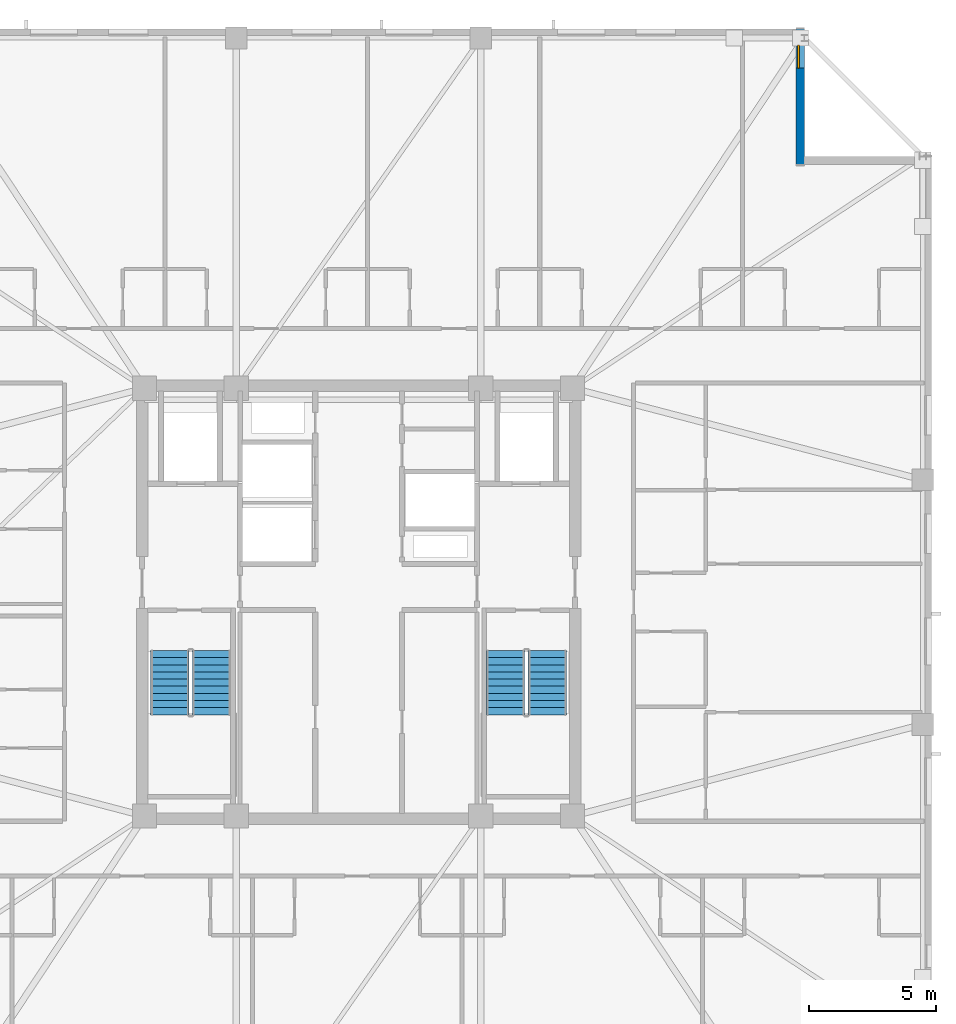
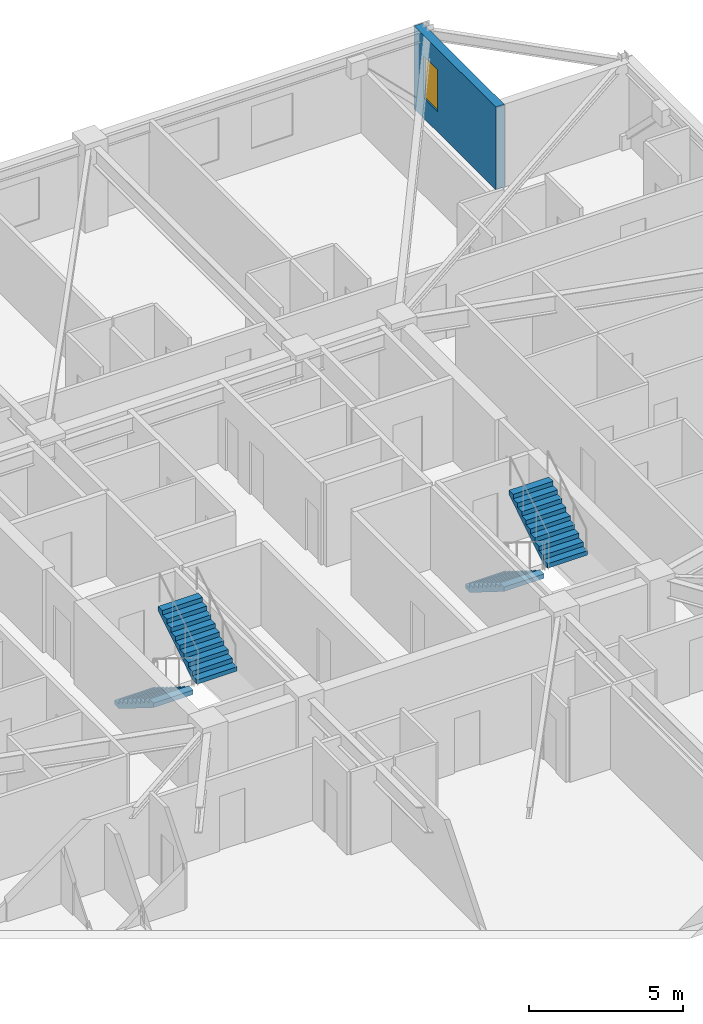
# One storey, part 12 of 17: 4 stair flights, 1 wall, 1 window, 1 opening, 2 elements without a shape of their own.
"""IFC4 building model written with IfcOpenShell, lengths in metres."""

from ifc_helpers import new_model, si_unit, direction, frame, frame_2d, origin, place, context, subcontext, project, spatial, polyline, rectangle, outline, extrude, material, layer, layer_set, type_object, element, fill, aggregate, save


model = new_model("IFC4")

# Units and contexts
model_context = context("Model", 3, precision=1e-05, world=origin(), true_north=direction((0.0, 1.0)))
body_context = subcontext(model_context, "Body", "Model", "MODEL_VIEW")
ifc_project = project(units=[si_unit("LENGTHUNIT", "METRE"), si_unit("AREAUNIT", "SQUARE_METRE"), si_unit("VOLUMEUNIT", "CUBIC_METRE"), si_unit("PLANEANGLEUNIT", "RADIAN"), si_unit("MASSUNIT", "GRAM", prefix="KILO")], contexts=[model_context])

# Site, building, storey
site_placement = place(None, origin())
site = spatial("IfcSite", under=ifc_project, at=site_placement, CompositionType="ELEMENT")
building_placement = place(site_placement, origin())
building = spatial("IfcBuilding", under=site, at=building_placement, Name="Cairnveth Concourse Tower", CompositionType="ELEMENT")
storey_placement = place(building_placement, frame((0.0, 0.0, 244.5)))
storey = spatial("IfcBuildingStorey", under=building, at=storey_placement, Name="L67", CompositionType="ELEMENT", Elevation=244.5)

# Wall, opening, window
ifc_material_1 = material(Name="Melbourne Buff Fired Clay Brick Masonry", Category="masonry")
ifc_layer = layer(ifc_material_1, 0.320068359375)
ifc_layer_set = layer_set([ifc_layer], Name="Melbourne Buff Fired Clay Brick Masonry")
wall_type = type_object("IfcWallType", Name="ZONE 3 BRICK PIER SPANDREL WALL 320", PredefinedType="SOLIDWALL", material=ifc_layer_set)
wall_placement = place(storey_placement, frame((69.340087890625, 61.5, 0.0), z_axis=(0.0, 0.0, 1.0), x_axis=(0.0, -1.0, 0.0)))
wall = element("IfcWall", 1, at=wall_placement, inside=storey, type_object=wall_type, Name="Exterior Wall EW-L67-S04", PredefinedType="SOLIDWALL", context=body_context, shape_type="SweptSolid", body=[
    extrude(rectangle(XDim=5.320068359375, YDim=0.320068359375, at=frame_2d((2.66015625, 0.0))), origin(), (0.0, 0.0, 1.0), 3.2900390625),
])
opening_placement = place(wall_placement, frame((0.6298828125, 0.0, 0.800048828125)))
opening = element("IfcOpeningElement", 2, at=opening_placement, cuts=wall, Name="Opening W13", PredefinedType="OPENING", context=body_context, shape_type="SweptSolid", body=[
    extrude(rectangle(XDim=0.89990234375, YDim=1.677978515625, at=frame_2d((0.449951171875, 0.8388671875))), frame((0.0, 0.169921875, 0.0), z_axis=(0.0, -1.0, 0.0), x_axis=(1.0, 0.0, 0.0)), (0.0, 0.0, 1.0), 0.340087890625),
])
ifc_material_2 = material(Name="Double Glazed Low-E Clear Glass", Category="glass")
window_type = type_object("IfcWindowType", Name="DEEP-SET BEDROOM LANCET WINDOW 900X1750", PartitioningType="DOUBLE_PANEL_VERTICAL", PredefinedType="WINDOW", material=ifc_material_2)
window_placement = place(opening_placement, origin())
window = element("IfcWindow", 3, at=window_placement, inside=storey, type_object=window_type, Name="Dwelling Lancet Window L67-DW4", OverallHeight=1.677978515625, OverallWidth=0.89990234375, PartitioningType="SINGLE_PANEL", PredefinedType="WINDOW", context=body_context, shape_type="SweptSolid", body=[
    extrude(rectangle(XDim=0.89990234375, YDim=1.677978515625, at=frame_2d((0.449951171875, 0.8388671875))), frame((0.0, -0.0400390625, 0.0), z_axis=(0.0, -1.0, 0.0), x_axis=(1.0, 0.0, 0.0)), (0.0, 0.0, 1.0), 0.06005859375),
])
fill(opening, window)

# Stair, stair flights
ifc_material_3 = material(Name="Precast concrete N50 (50 MPa)", Category="concrete")
stair_type = type_object("IfcStairType", Name="CORE DOG-LEG FIRE STAIR 1500", PredefinedType="HALF_TURN_STAIR", material=ifc_material_3)
stair_1_placement = place(storey_placement, origin())
stair_1 = element("IfcStair", 4, at=stair_1_placement, inside=storey, type_object=stair_type, Name="L67 Fire-Isolated Stair ST-1", PredefinedType="HALF_TURN_STAIR")
stair_flight_type = type_object("IfcStairFlightType", Name="PRECAST CONCRETE STAIR FLIGHT 1500", PredefinedType="STRAIGHT", material=ifc_material_3)
stair_flight_1_placement = place(storey_placement, frame((44.590087890625, 37.10009765625, 0.0), z_axis=(0.0, 0.0, 1.0), x_axis=(0.0, -1.0, 0.0)))
stair_flight_1 = element("IfcStairFlight", 5, at=stair_flight_1_placement, type_object=stair_flight_type, Name="ST-1 flight 1", NumberOfRisers=10, NumberOfTreads=9, PredefinedType="STRAIGHT", RiserHeight=0.175, TreadLength=0.28, context=body_context, shape_type="SweptSolid", body=[
    extrude(outline(polyline([(0.0, 0.0), (0.0, 0.175048828125), (0.280029296875, 0.175048828125), (0.280029296875, 0.35009765625), (0.56005859375, 0.35009765625), (0.56005859375, 0.52490234375), (0.840087890625, 0.52490234375), (0.840087890625, 0.699951171875), (1.1201171875, 0.699951171875), (1.1201171875, 0.875), (1.39990234375, 0.875), (1.39990234375, 1.050048828125), (1.679931640625, 1.050048828125), (1.679931640625, 1.22509765625), (1.9599609375, 1.22509765625), (1.9599609375, 1.39990234375), (2.239990234375, 1.39990234375), (2.239990234375, 1.574951171875), (2.52001953125, 1.574951171875), (2.52001953125, 1.75), (2.52001953125, 1.398193359375), (0.28271484375, 0.0), (0.0, 0.0)])), frame((0.0, 0.75, 0.0), z_axis=(0.0, -1.0, 0.0), x_axis=(1.0, 0.0, 0.0)), (0.0, 0.0, 1.0), 1.5),
])
stair_flight_2_placement = place(storey_placement, frame((46.22998046875, 34.580078125, 1.75), z_axis=(0.0, 0.0, 1.0), x_axis=(0.0, 1.0, 0.0)))
stair_flight_2 = element("IfcStairFlight", 6, at=stair_flight_2_placement, type_object=stair_flight_type, Name="ST-1 flight 2", NumberOfRisers=10, NumberOfTreads=9, PredefinedType="STRAIGHT", RiserHeight=0.175, TreadLength=0.28, context=body_context, shape_type="SweptSolid", body=[
    extrude(outline(polyline([(0.0, 0.0), (0.0, 0.175048828125), (0.280029296875, 0.175048828125), (0.280029296875, 0.35009765625), (0.56005859375, 0.35009765625), (0.56005859375, 0.52490234375), (0.840087890625, 0.52490234375), (0.840087890625, 0.699951171875), (1.1201171875, 0.699951171875), (1.1201171875, 0.875), (1.39990234375, 0.875), (1.39990234375, 1.050048828125), (1.679931640625, 1.050048828125), (1.679931640625, 1.22509765625), (1.9599609375, 1.22509765625), (1.9599609375, 1.39990234375), (2.239990234375, 1.39990234375), (2.239990234375, 1.574951171875), (2.52001953125, 1.574951171875), (2.52001953125, 1.75), (2.52001953125, 1.398193359375), (0.28271484375, 0.0), (0.0, 0.0)])), frame((0.0, 0.75, 0.0), z_axis=(0.0, -1.0, 0.0), x_axis=(1.0, 0.0, 0.0)), (0.0, 0.0, 1.0), 1.5),
])
aggregate(stair_1, [stair_flight_1, stair_flight_2])

stair_2_placement = place(storey_placement, origin())
stair_2 = element("IfcStair", 7, at=stair_2_placement, inside=storey, type_object=stair_type, Name="L67 Fire-Isolated Stair ST-2", PredefinedType="HALF_TURN_STAIR")
stair_flight_3_placement = place(storey_placement, frame((57.77001953125, 37.10009765625, 0.0), z_axis=(0.0, 0.0, 1.0), x_axis=(0.0, -1.0, 0.0)))
stair_flight_3 = element("IfcStairFlight", 8, at=stair_flight_3_placement, type_object=stair_flight_type, Name="ST-2 flight 1", NumberOfRisers=10, NumberOfTreads=9, PredefinedType="STRAIGHT", RiserHeight=0.175, TreadLength=0.28, context=body_context, shape_type="SweptSolid", body=[
    extrude(outline(polyline([(0.0, 0.0), (0.0, 0.175048828125), (0.280029296875, 0.175048828125), (0.280029296875, 0.35009765625), (0.56005859375, 0.35009765625), (0.56005859375, 0.52490234375), (0.840087890625, 0.52490234375), (0.840087890625, 0.699951171875), (1.1201171875, 0.699951171875), (1.1201171875, 0.875), (1.39990234375, 0.875), (1.39990234375, 1.050048828125), (1.679931640625, 1.050048828125), (1.679931640625, 1.22509765625), (1.9599609375, 1.22509765625), (1.9599609375, 1.39990234375), (2.239990234375, 1.39990234375), (2.239990234375, 1.574951171875), (2.52001953125, 1.574951171875), (2.52001953125, 1.75), (2.52001953125, 1.398193359375), (0.28271484375, 0.0), (0.0, 0.0)])), frame((0.0, 0.75, 0.0), z_axis=(0.0, -1.0, 0.0), x_axis=(1.0, 0.0, 0.0)), (0.0, 0.0, 1.0), 1.5),
])
stair_flight_4_placement = place(storey_placement, frame((59.409912109375, 34.580078125, 1.75), z_axis=(0.0, 0.0, 1.0), x_axis=(0.0, 1.0, 0.0)))
stair_flight_4 = element("IfcStairFlight", 9, at=stair_flight_4_placement, type_object=stair_flight_type, Name="ST-2 flight 2", NumberOfRisers=10, NumberOfTreads=9, PredefinedType="STRAIGHT", RiserHeight=0.175, TreadLength=0.28, context=body_context, shape_type="SweptSolid", body=[
    extrude(outline(polyline([(0.0, 0.0), (0.0, 0.175048828125), (0.280029296875, 0.175048828125), (0.280029296875, 0.35009765625), (0.56005859375, 0.35009765625), (0.56005859375, 0.52490234375), (0.840087890625, 0.52490234375), (0.840087890625, 0.699951171875), (1.1201171875, 0.699951171875), (1.1201171875, 0.875), (1.39990234375, 0.875), (1.39990234375, 1.050048828125), (1.679931640625, 1.050048828125), (1.679931640625, 1.22509765625), (1.9599609375, 1.22509765625), (1.9599609375, 1.39990234375), (2.239990234375, 1.39990234375), (2.239990234375, 1.574951171875), (2.52001953125, 1.574951171875), (2.52001953125, 1.75), (2.52001953125, 1.398193359375), (0.28271484375, 0.0), (0.0, 0.0)])), frame((0.0, 0.75, 0.0), z_axis=(0.0, -1.0, 0.0), x_axis=(1.0, 0.0, 0.0)), (0.0, 0.0, 1.0), 1.5),
])
aggregate(stair_2, [stair_flight_3, stair_flight_4])

save(model, "model.ifc")
